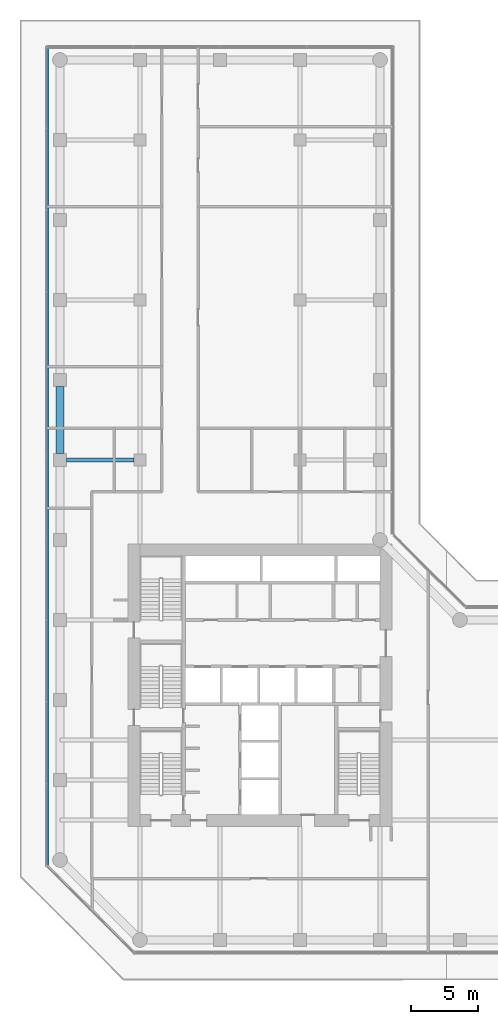
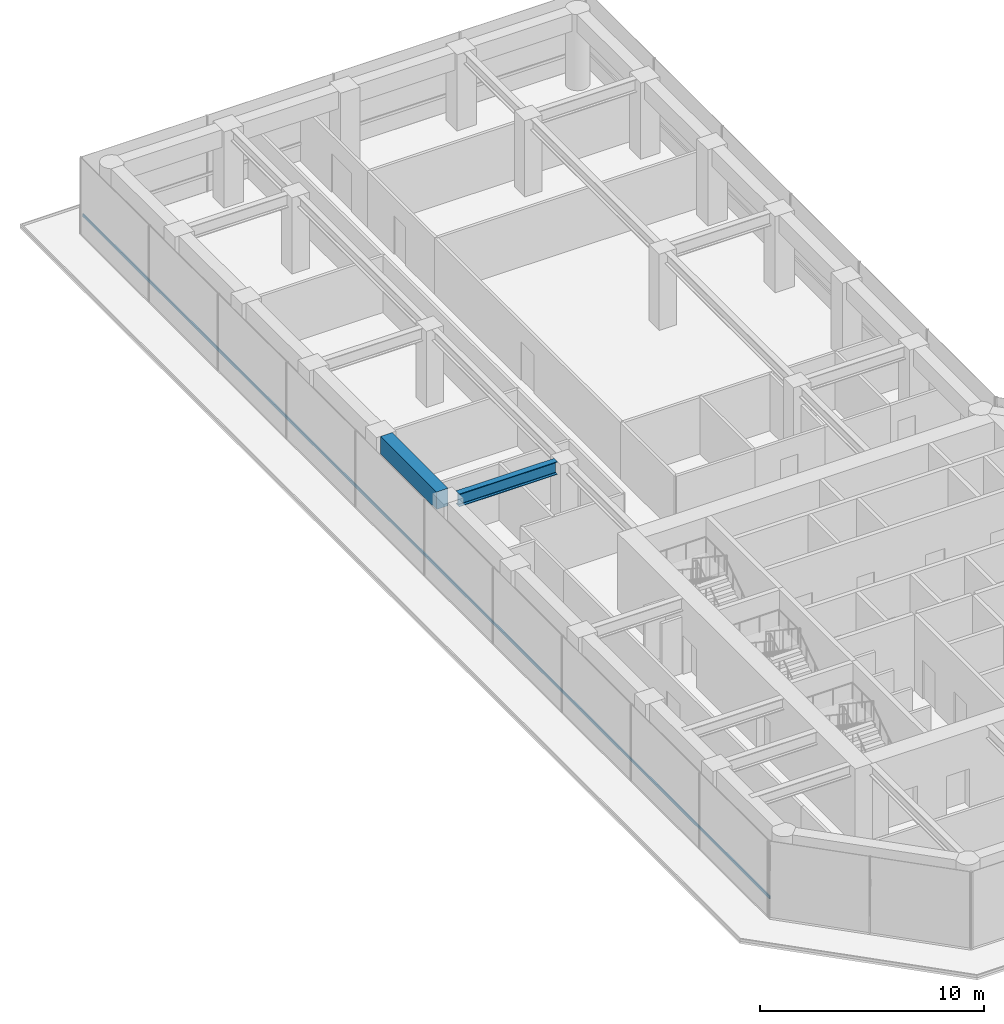
# One storey, part 12 of 24: 2 beams, 1 member, 1 element without a shape of its own.
"""IFC4 building model written with IfcOpenShell, lengths in metres."""

from ifc_helpers import new_model, si_unit, direction, frame, origin, origin_2d, place, context, subcontext, project, spatial, rectangle, i_section, extrude, material, layer, layer_set, material_profile, profile_set, type_object, element, aggregate, save


model = new_model("IFC4")

# Units and contexts
model_context = context("Model", 3, precision=1e-05, world=origin(), true_north=direction((0.0, 1.0)))
body_context = subcontext(model_context, "Body", "Model", "MODEL_VIEW")
ifc_project = project(units=[si_unit("LENGTHUNIT", "METRE"), si_unit("AREAUNIT", "SQUARE_METRE"), si_unit("VOLUMEUNIT", "CUBIC_METRE"), si_unit("PLANEANGLEUNIT", "RADIAN"), si_unit("MASSUNIT", "GRAM", prefix="KILO")], contexts=[model_context])

# Site, building, storey
site_placement = place(None, origin())
site = spatial("IfcSite", under=ifc_project, at=site_placement, CompositionType="ELEMENT")
building_placement = place(site_placement, origin())
building = spatial("IfcBuilding", under=site, at=building_placement, Name="Welwitschia Terrace Campus", CompositionType="ELEMENT")
storey_placement = place(building_placement, frame((0.0, 0.0, 15.5)))
storey = spatial("IfcBuildingStorey", under=building, at=storey_placement, Name="L03", CompositionType="ELEMENT", Elevation=15.5)

# Beams
ifc_material_1 = material(Name="Steel S355", Category="steel")
ifc_material_profile_1 = material_profile(ifc_material_1, i_section(OverallWidth=0.300048828125, OverallDepth=0.699951171875, WebThickness=0.01708984375, FlangeThickness=0.031982421875, FilletRadius=0.027099609375, at=origin_2d()))
ifc_profile_set_1 = profile_set([ifc_material_profile_1], Name="Steel S355")
beam_type_1 = type_object("IfcBeamType", Name="Primary beam HE 700 B", PredefinedType="BEAM", material=ifc_profile_set_1)
beam_1_placement = place(storey_placement, frame((0.50048828125, 32.0, 3.800048828125), z_axis=(1.0, 0.0, 0.0), x_axis=(0.0, 1.0, 0.0)))
element("IfcBeam", 1, at=beam_1_placement, inside=storey, type_object=beam_type_1, Name="Primary beam PB1", PredefinedType="BEAM", context=body_context, shape_type="SweptSolid", body=[
    extrude(i_section(OverallWidth=0.300048828125, OverallDepth=0.699951171875, WebThickness=0.01708984375, FlangeThickness=0.031982421875, FilletRadius=0.027099609375, at=origin_2d()), origin(), (0.0, 0.0, 1.0), 5.049072265625),
])
ifc_material_2 = material(Name="Concrete C60/75", Category="concrete")
ifc_material_profile_2 = material_profile(ifc_material_2, rectangle(XDim=0.60009765625, YDim=0.949951171875, at=origin_2d()))
ifc_profile_set_2 = profile_set([ifc_material_profile_2], Name="Concrete C60/75")
beam_type_2 = type_object("IfcBeamType", Name="Ring spandrel 600x950", PredefinedType="SPANDREL", material=ifc_profile_set_2)
beam_2_placement = place(storey_placement, frame((0.0, 37.49951171875, 3.675048828125), z_axis=(0.0, -1.0, 0.0), x_axis=(1.0, 0.0, 0.0)))
element("IfcBeam", 2, at=beam_2_placement, inside=storey, type_object=beam_type_2, Name="Spandrel SP1", PredefinedType="SPANDREL", context=body_context, shape_type="SweptSolid", body=[
    extrude(rectangle(XDim=0.60009765625, YDim=0.949951171875, at=origin_2d()), origin(), (0.0, 0.0, 1.0), 4.9990234375),
])

# Curtain wall, member
ifc_material_3 = material(Name="Bronze anodised aluminium", Category="aluminium")
ifc_layer = layer(ifc_material_3, 0.1201171875)
ifc_layer_set = layer_set([ifc_layer], Name="Bronze anodised aluminium")
curtain_wall_type = type_object("IfcCurtainWallType", Name="Curtain wall CW2 tower 6000", PredefinedType="NOTDEFINED", material=ifc_layer_set)
curtain_wall_placement = place(storey_placement, origin())
curtain_wall = element("IfcCurtainWall", 3, at=curtain_wall_placement, inside=storey, type_object=curtain_wall_type, Name="CW L03.9.0", PredefinedType="NOTDEFINED")
ifc_material_4 = material(Name="Bronze anodised aluminium", Category="aluminium")
ifc_material_profile_3 = material_profile(ifc_material_4, rectangle(XDim=0.06005859375, YDim=0.14990234375, at=origin_2d()))
ifc_profile_set_3 = profile_set([ifc_material_profile_3], Name="Bronze anodised aluminium")
member_type = type_object("IfcMemberType", Name="Transom 60x150", PredefinedType="USERDEFINED", material=ifc_profile_set_3)
member_placement = place(storey_placement, frame((-0.929931640625, 62.9599609375, 1.0), z_axis=(0.0, -1.0, 0.0), x_axis=(1.0, 0.0, 0.0)))
member = element("IfcMember", 4, at=member_placement, type_object=member_type, Name="Transom L03.9.0", ObjectType="TRANSOM", PredefinedType="USERDEFINED", context=body_context, shape_type="SweptSolid", body=[
    extrude(rectangle(XDim=0.06005859375, YDim=0.14990234375, at=origin_2d()), origin(), (0.0, 0.0, 1.0), 61.322509765625),
])
aggregate(curtain_wall, [member])

save(model, "model.ifc")
